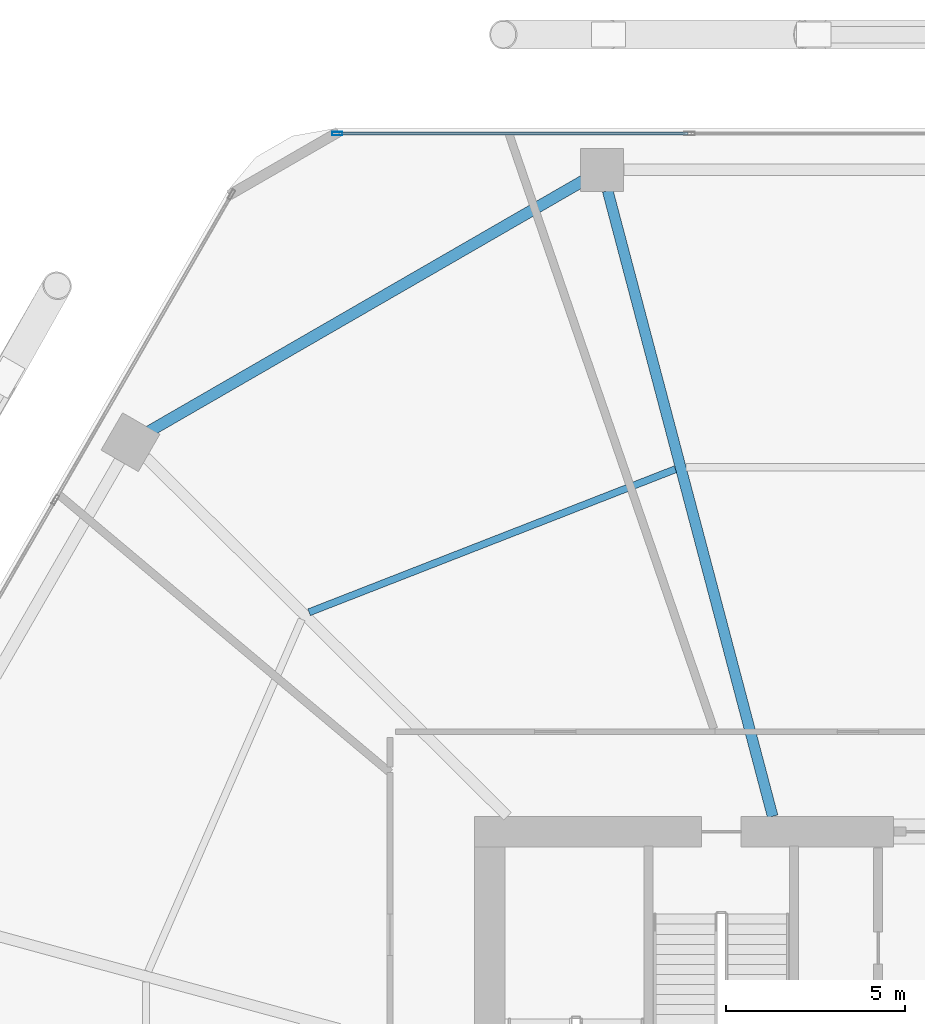
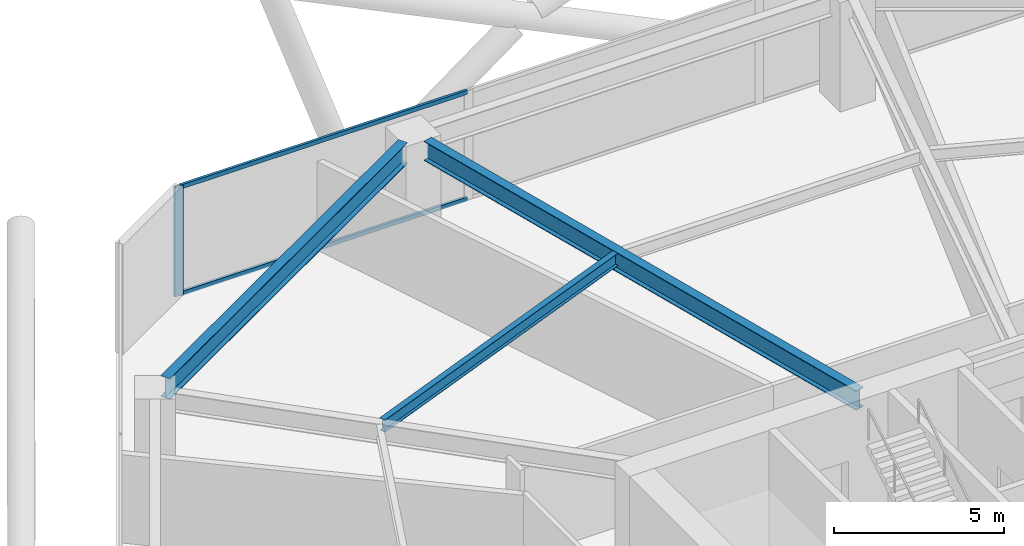
# One storey, part 16 of 28: 3 beams, 3 members, 1 element without a shape of its own.
"""IFC4 building model written with IfcOpenShell, lengths in metres."""

from ifc_helpers import new_model, si_unit, direction, frame, origin, origin_2d, place, context, subcontext, project, spatial, hollow_rectangle, i_section, extrude, material, material_profile, profile_set, type_object, element, aggregate, save


model = new_model("IFC4")

# Units and contexts
model_context = context("Model", 3, precision=1e-05, world=origin(), true_north=direction((0.0, 1.0)))
body_context = subcontext(model_context, "Body", "Model", "MODEL_VIEW")
ifc_project = project(units=[si_unit("LENGTHUNIT", "METRE"), si_unit("AREAUNIT", "SQUARE_METRE"), si_unit("VOLUMEUNIT", "CUBIC_METRE"), si_unit("PLANEANGLEUNIT", "RADIAN"), si_unit("MASSUNIT", "GRAM", prefix="KILO")], contexts=[model_context])

# Site, building, storey
site_placement = place(None, origin())
site = spatial("IfcSite", under=ifc_project, at=site_placement, CompositionType="ELEMENT")
building_placement = place(site_placement, origin())
building = spatial("IfcBuilding", under=site, at=building_placement, Name="Zuhravey Tower", CompositionType="ELEMENT")
storey_placement = place(building_placement, frame((0.0, 0.0, 49.800048828125)))
storey = spatial("IfcBuildingStorey", under=building, at=storey_placement, Name="L12", CompositionType="ELEMENT", Elevation=49.800048828125)

# Curtain wall, members
ifc_material_1 = material(Name="Thermally broken anodised aluminium", Category="aluminium")
curtain_wall_type = type_object("IfcCurtainWallType", Name="School Low-E Unitised Curtain Wall CW1", PredefinedType="NOTDEFINED", material=ifc_material_1)
curtain_wall_placement = place(storey_placement, origin())
curtain_wall = element("IfcCurtainWall", 1, at=curtain_wall_placement, inside=storey, type_object=curtain_wall_type, Name="L12 CW1 CW-L12-F2-1", PredefinedType="NOTDEFINED")
ifc_material_2 = material(Name="Anodised aluminium", Category="aluminium")
ifc_material_profile_1 = material_profile(ifc_material_2, hollow_rectangle(XDim=0.090087890625, YDim=0.284912109375, WallThickness=0.0048828125, at=origin_2d()), Name="ALU-RHS-90x285x5")
ifc_profile_set_1 = profile_set([ifc_material_profile_1], Name="Anodised aluminium")
member_type_1 = type_object("IfcMemberType", Name="Curtain-Wall Mullion 90x180", PredefinedType="MULLION", material=ifc_profile_set_1)
member_1_placement = place(storey_placement, frame((21.24560546875, 60.95849609375, 0.0), z_axis=(0.0, 0.0, 1.0), x_axis=(0.0, 1.0, 0.0)))
member_1 = element("IfcMember", 2, at=member_1_placement, type_object=member_type_1, Name="CW1 mullion 1", PredefinedType="MULLION", context=body_context, shape_type="SweptSolid", body=[
    extrude(hollow_rectangle(XDim=0.090087890625, YDim=0.284912109375, WallThickness=0.0048828125, at=origin_2d()), origin(), (0.0, 0.0, 1.0), 3.919921875),
])
ifc_material_profile_2 = material_profile(ifc_material_2, hollow_rectangle(XDim=0.090087890625, YDim=0.14990234375, WallThickness=0.0048828125, at=origin_2d()), Name="ALU-RHS-90x150x5")
ifc_profile_set_2 = profile_set([ifc_material_profile_2], Name="Anodised aluminium")
member_type_2 = type_object("IfcMemberType", Name="Curtain-Wall Transom 90x150", PredefinedType="USERDEFINED", material=ifc_profile_set_2)
member_2_placement = place(storey_placement, frame((21.29052734375, 60.95849609375, 0.044921875), z_axis=(1.0, 0.0, 0.0), x_axis=(0.0, 1.0, 0.0)))
member_2 = element("IfcMember", 3, at=member_2_placement, type_object=member_type_2, Name="CW1 transom 1.1", ObjectType="TRANSOM", PredefinedType="USERDEFINED", context=body_context, shape_type="SweptSolid", body=[
    extrude(hollow_rectangle(XDim=0.090087890625, YDim=0.14990234375, WallThickness=0.0048828125, at=origin_2d()), origin(), (0.0, 0.0, 1.0), 9.731201171875),
])
member_3_placement = place(storey_placement, frame((21.29052734375, 60.95849609375, 3.875), z_axis=(1.0, 0.0, 0.0), x_axis=(0.0, 1.0, 0.0)))
member_3 = element("IfcMember", 4, at=member_3_placement, type_object=member_type_2, Name="CW1 transom 1.2", ObjectType="TRANSOM", PredefinedType="USERDEFINED", context=body_context, shape_type="SweptSolid", body=[
    extrude(hollow_rectangle(XDim=0.090087890625, YDim=0.14990234375, WallThickness=0.0048828125, at=origin_2d()), origin(), (0.0, 0.0, 1.0), 9.731201171875),
])
aggregate(curtain_wall, [member_1, member_2, member_3])

# Beams
ifc_material_3 = material(Name="Steel SM355", Category="steel")
ifc_material_profile_3 = material_profile(ifc_material_3, i_section(OverallWidth=0.320068359375, OverallDepth=0.75, WebThickness=0.013916015625, FlangeThickness=0.02490234375, at=origin_2d()), Name="H-750x320x14x25")
ifc_profile_set_3 = profile_set([ifc_material_profile_3], Name="Steel SM355")
beam_type_1 = type_object("IfcBeamType", Name="Perimeter Ring Beam H750x320", PredefinedType="BEAM", material=ifc_profile_set_3)
beam_1_placement = place(storey_placement, frame((28.10791015625, 59.64697265625, 3.544921875), z_axis=(-0.866029969761, -0.499992091414, 0.0), x_axis=(0.499992091414, -0.866029969761, 0.0)))
element("IfcBeam", 5, at=beam_1_placement, inside=storey, type_object=beam_type_1, Name="L12 PB1 BM-L12-PB-04", PredefinedType="BEAM", context=body_context, shape_type="SweptSolid", body=[
    extrude(i_section(OverallWidth=0.320068359375, OverallDepth=0.75, WebThickness=0.013916015625, FlangeThickness=0.02490234375, at=origin_2d()), origin(), (0.0, 0.0, 1.0), 13.977294921875),
])
ifc_material_profile_4 = material_profile(ifc_material_3, i_section(OverallWidth=0.300048828125, OverallDepth=0.699951171875, WebThickness=0.012939453125, FlangeThickness=0.02392578125, at=origin_2d()), Name="H-700x300x13x24")
ifc_profile_set_4 = profile_set([ifc_material_profile_4], Name="Steel SM355")
beam_type_2 = type_object("IfcBeamType", Name="Radial Primary Girder H700x300", PredefinedType="BEAM", material=ifc_profile_set_4)
beam_2_placement = place(storey_placement, frame((33.382080078125, 41.927978515625, 3.570068359375), z_axis=(-0.254989720435, 0.966943763862, 0.0), x_axis=(-0.966943763862, -0.254989720435, 0.0)))
element("IfcBeam", 6, at=beam_2_placement, inside=storey, type_object=beam_type_2, Name="L12 RG1 BM-L12-RAD-04", PredefinedType="BEAM", context=body_context, shape_type="SweptSolid", body=[
    extrude(i_section(OverallWidth=0.300048828125, OverallDepth=0.699951171875, WebThickness=0.012939453125, FlangeThickness=0.02392578125, at=origin_2d()), origin(), (0.0, 0.0, 1.0), 18.03369140625),
])
ifc_material_profile_5 = material_profile(ifc_material_3, i_section(OverallWidth=0.199951171875, OverallDepth=0.449951171875, WebThickness=0.009033203125, FlangeThickness=0.013916015625, at=origin_2d()), Name="H-450x200x9x14")
ifc_profile_set_5 = profile_set([ifc_material_profile_5], Name="Steel SM355")
beam_type_3 = type_object("IfcBeamType", Name="Secondary Floor Joist H450x200", PredefinedType="JOIST", material=ifc_profile_set_5)
beam_3_placement = place(storey_placement, frame((30.67236328125, 51.60302734375, 3.695068359375), z_axis=(-0.931516535886, -0.363698973562, 0.0), x_axis=(0.363698973562, -0.931516535886, 0.0)))
element("IfcBeam", 7, at=beam_3_placement, inside=storey, type_object=beam_type_3, Name="L12 SJ1 BM-L12-SJ-04-1", PredefinedType="JOIST", context=body_context, shape_type="SweptSolid", body=[
    extrude(i_section(OverallWidth=0.199951171875, OverallDepth=0.449951171875, WebThickness=0.009033203125, FlangeThickness=0.013916015625, at=origin_2d()), origin(), (0.0, 0.0, 1.0), 10.963134765625),
])

save(model, "model.ifc")
